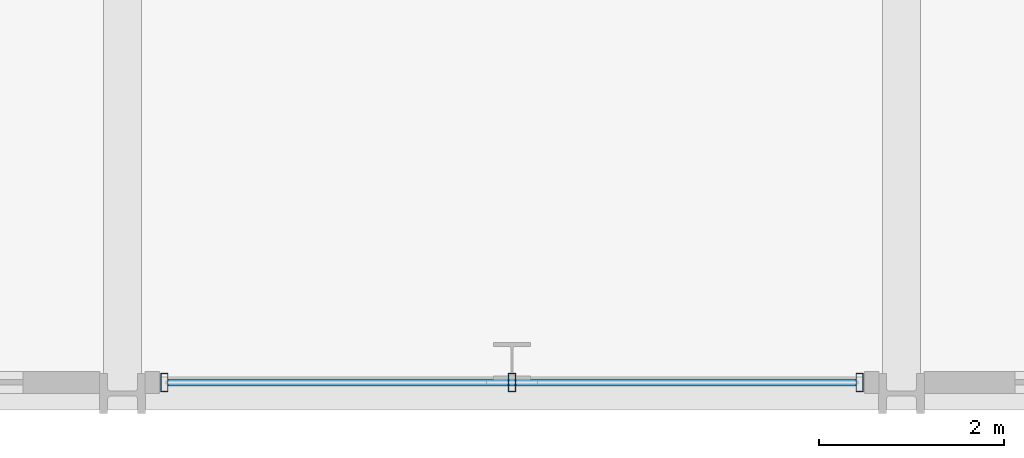
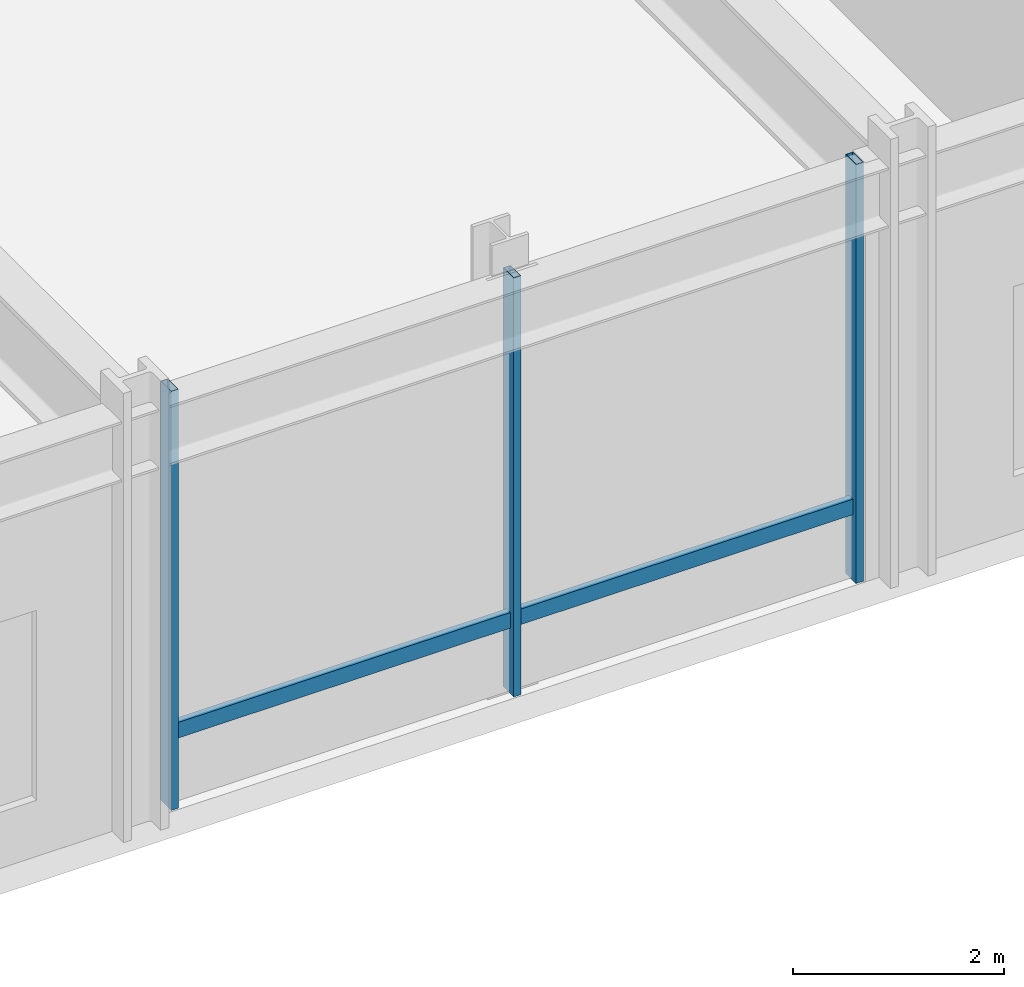
# One storey, part 3 of 20: 4 members, 1 element without a shape of its own.
"""IFC4 building model written with IfcOpenShell, lengths in metres."""

from ifc_helpers import new_model, si_unit, direction, frame, origin, origin_2d, place, context, subcontext, project, spatial, hollow_rectangle, extrude, material, layer, layer_set, material_profile, profile_set, type_object, element, aggregate, save


model = new_model("IFC4")

# Units and contexts
model_context = context("Model", 3, precision=1e-05, world=origin(), true_north=direction((0.0, 1.0)))
body_context = subcontext(model_context, "Body", "Model", "MODEL_VIEW")
ifc_project = project(units=[si_unit("LENGTHUNIT", "METRE"), si_unit("AREAUNIT", "SQUARE_METRE"), si_unit("VOLUMEUNIT", "CUBIC_METRE"), si_unit("PLANEANGLEUNIT", "RADIAN"), si_unit("MASSUNIT", "GRAM", prefix="KILO")], contexts=[model_context])

# Site, building, storey
site_placement = place(None, origin())
site = spatial("IfcSite", under=ifc_project, at=site_placement, CompositionType="ELEMENT")
building_placement = place(site_placement, origin())
building = spatial("IfcBuilding", under=site, at=building_placement, Name="Drelvath Grand Hotel", CompositionType="ELEMENT")
storey_placement = place(building_placement, frame((0.0, 0.0, 5.60009765625)))
storey = spatial("IfcBuildingStorey", under=building, at=storey_placement, Name="L01", CompositionType="ELEMENT", Elevation=5.60009765625)

# Curtain wall, members
ifc_material = material(Name="Dark Bronze Anodised Aluminium Frame", Category="aluminium")
ifc_layer = layer(ifc_material, 0.199951171875)
ifc_layer_set = layer_set([ifc_layer], Name="Dark Bronze Anodised Aluminium Frame")
curtain_wall_type = type_object("IfcCurtainWallType", Name="Stick Curtain Wall CW-01 Dark Bronze Podium", PredefinedType="NOTDEFINED", material=ifc_layer_set)
curtain_wall_placement = place(storey_placement, origin())
curtain_wall = element("IfcCurtainWall", 1, at=curtain_wall_placement, inside=storey, type_object=curtain_wall_type, Name="L01 CW-01 Curtain Wall CW01-L01-SC1", PredefinedType="NOTDEFINED")
ifc_material_profile_1 = material_profile(ifc_material, hollow_rectangle(XDim=0.074951171875, YDim=0.179931640625, WallThickness=0.0048828125, at=origin_2d()), Name="HSS180X75X5")
ifc_profile_set_1 = profile_set([ifc_material_profile_1], Name="Dark Bronze Anodised Aluminium Frame")
member_type_1 = type_object("IfcMemberType", Name="Curtain Wall Horizontal Transom CW-01 HSS180X75X5", PredefinedType="USERDEFINED", material=ifc_profile_set_1)
member_1_placement = place(storey_placement, frame((-0.489990234375, 0.1201171875, 0.849853515625), z_axis=(-1.0, 0.0, 0.0), x_axis=(0.0, -1.0, 0.0)))
member_1 = element("IfcMember", 2, at=member_1_placement, type_object=member_type_1, Name="CW01-L01-SC1 Sill Transom", ObjectType="TRANSOM", PredefinedType="USERDEFINED", context=body_context, shape_type="SweptSolid", body=[
    extrude(hollow_rectangle(XDim=0.074951171875, YDim=0.179931640625, WallThickness=0.0048828125, at=origin_2d()), origin(), (0.0, 0.0, 1.0), 7.419921875),
])
ifc_material_profile_2 = material_profile(ifc_material, hollow_rectangle(XDim=0.080078125, YDim=0.199951171875, WallThickness=0.0048828125, at=origin_2d()), Name="HSS200X80X5")
ifc_profile_set_2 = profile_set([ifc_material_profile_2], Name="Dark Bronze Anodised Aluminium Frame")
member_type_2 = type_object("IfcMemberType", Name="Curtain Wall Vertical Mullion CW-01 HSS200X80X5", PredefinedType="MULLION", material=ifc_profile_set_2)
member_2_placement = place(storey_placement, frame((-0.449951171875, 0.1201171875, 0.0), z_axis=(0.0, 0.0, 1.0), x_axis=(1.0, 0.0, 0.0)))
member_2 = element("IfcMember", 3, at=member_2_placement, type_object=member_type_2, Name="CW01-L01-SC1 Mullion 1", PredefinedType="MULLION", context=body_context, shape_type="SweptSolid", body=[
    extrude(hollow_rectangle(XDim=0.080078125, YDim=0.199951171875, WallThickness=0.0048828125, at=origin_2d()), origin(), (0.0, 0.0, 1.0), 4.849853515625),
])
member_3_placement = place(storey_placement, frame((-4.199951171875, 0.1201171875, 0.0), z_axis=(0.0, 0.0, 1.0), x_axis=(1.0, 0.0, 0.0)))
member_3 = element("IfcMember", 4, at=member_3_placement, type_object=member_type_2, Name="CW01-L01-SC1 Mullion 2", PredefinedType="MULLION", context=body_context, shape_type="SweptSolid", body=[
    extrude(hollow_rectangle(XDim=0.080078125, YDim=0.199951171875, WallThickness=0.0048828125, at=origin_2d()), origin(), (0.0, 0.0, 1.0), 4.849853515625),
])
member_4_placement = place(storey_placement, frame((-7.949951171875, 0.1201171875, 0.0), z_axis=(0.0, 0.0, 1.0), x_axis=(1.0, 0.0, 0.0)))
member_4 = element("IfcMember", 5, at=member_4_placement, type_object=member_type_2, Name="CW01-L01-SC1 Mullion 3", PredefinedType="MULLION", context=body_context, shape_type="SweptSolid", body=[
    extrude(hollow_rectangle(XDim=0.080078125, YDim=0.199951171875, WallThickness=0.0048828125, at=origin_2d()), origin(), (0.0, 0.0, 1.0), 4.849853515625),
])
aggregate(curtain_wall, [member_2, member_3, member_4, member_1])

save(model, "model.ifc")
